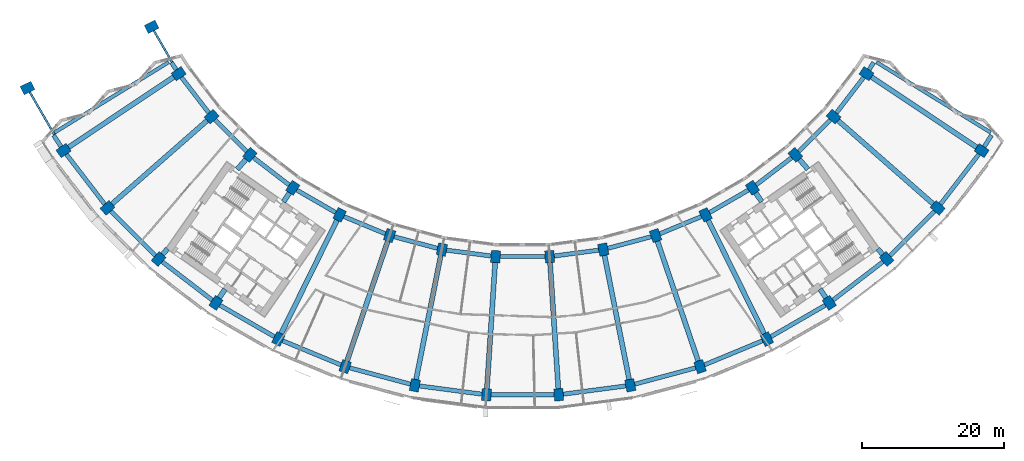
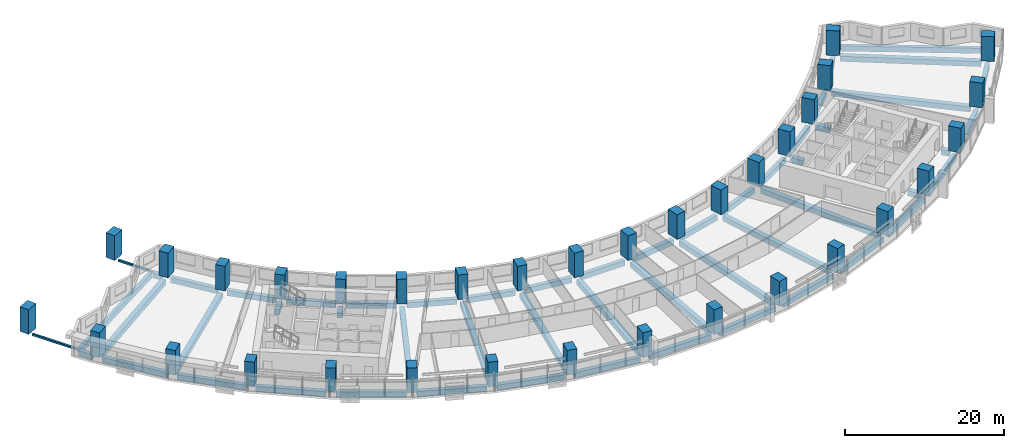
# One storey, part 1 of 30: 56 beams, 34 columns, 2 members.
"""IFC4 building model written with IfcOpenShell, lengths in metres."""

from ifc_helpers import new_model, si_unit, direction, frame, origin, origin_2d, place, context, subcontext, project, spatial, rectangle, hollow_rectangle, extrude, material, material_profile, profile_set, type_object, element, save


model = new_model("IFC4")

# Units and contexts
model_context = context("Model", 3, precision=1e-05, world=origin(), true_north=direction((0.0, 1.0)))
body_context = subcontext(model_context, "Body", "Model", "MODEL_VIEW")
ifc_project = project(units=[si_unit("LENGTHUNIT", "METRE"), si_unit("AREAUNIT", "SQUARE_METRE"), si_unit("VOLUMEUNIT", "CUBIC_METRE"), si_unit("PLANEANGLEUNIT", "RADIAN"), si_unit("MASSUNIT", "GRAM", prefix="KILO")], contexts=[model_context])

# Site, building, storey
site_placement = place(None, origin())
site = spatial("IfcSite", under=ifc_project, at=site_placement, CompositionType="ELEMENT")
building_placement = place(site_placement, origin())
building = spatial("IfcBuilding", under=site, at=building_placement, Name="Qamariyya Broadcast Tower", CompositionType="ELEMENT")
storey_placement = place(building_placement, frame((0.0, 0.0, 67.10009765625)))
storey = spatial("IfcBuildingStorey", under=building, at=storey_placement, Name="L13", CompositionType="ELEMENT", Elevation=67.10009765625)

# Columns
ifc_material_1 = material(Name="Concrete C70/85", Category="concrete")
ifc_material_profile_1 = material_profile(ifc_material_1, rectangle(XDim=1.300048828125, YDim=1.699951171875, at=origin_2d()))
ifc_profile_set_1 = profile_set([ifc_material_profile_1], Name="Concrete C70/85")
column_type = type_object("IfcColumnType", Name="RC column 1300 x 1700 C70/85", PredefinedType="COLUMN", material=ifc_profile_set_1)
for number, where, z_axis, x_axis, name in (
    (1, (-48.43310546875, -32.362060546875, 0.0), (0.0, 0.0, 1.0), (0.55557023302, -0.831469612303, 0.0), "Column C5 L13 B-R03"),
    (2, (-64.646728515625, -43.195556640625, 0.0), (0.0, 0.0, 1.0), (0.55557023302, -0.831469612303, 0.0), "Column C5 L13 C-R03"),
    (3, (-43.794677734375, -38.406982421875, 0.0), (0.0, 0.0, 1.0), (0.6593458151, -0.751839807479, 0.0), "Column C5 L13 B-R04"),
    (4, (-58.45556640625, -51.26416015625, 0.0), (0.0, 0.0, 1.0), (0.6593458151, -0.751839807479, 0.0), "Column C5 L13 C-R04"),
    (5, (-38.406982421875, -43.794677734375, 0.0), (0.0, 0.0, 1.0), (0.751839807479, -0.6593458151, 0.0), "Column C5 L13 B-R05"),
    (6, (-51.26416015625, -58.45556640625, 0.0), (0.0, 0.0, 1.0), (0.751839807479, -0.6593458151, 0.0), "Column C5 L13 C-R05"),
    (7, (-32.362060546875, -48.43310546875, 0.0), (0.0, 0.0, 1.0), (0.831469612303, -0.55557023302, 0.0), "Column C5 L13 B-R06"),
    (8, (-43.195556640625, -64.646728515625, 0.0), (0.0, 0.0, 1.0), (0.831469612303, -0.55557023302, 0.0), "Column C5 L13 C-R06"),
    (9, (-25.763427734375, -52.242919921875, 0.0), (0.0, 0.0, 1.0), (0.896872741533, -0.442288690219, 0.0), "Column C5 L13 B-R07"),
    (10, (-34.387939453125, -69.73193359375, 0.0), (0.0, 0.0, 1.0), (0.896872741533, -0.442288690219, 0.0), "Column C5 L13 C-R07"),
    (11, (-18.723876953125, -55.15869140625, 0.0), (0.0, 0.0, 1.0), (0.946930129495, -0.321439465303, 0.0), "Column C5 L13 B-R08"),
    (12, (-24.991943359375, -73.623779296875, 0.0), (0.0, 0.0, 1.0), (0.946930129495, -0.321439465303, 0.0), "Column C5 L13 C-R08"),
    (13, (-11.364013671875, -57.130859375, 0.0), (0.0, 0.0, 1.0), (0.980785280403, -0.195090322016, 0.0), "Column C5 L13 B-R09"),
    (14, (-15.168212890625, -76.256103515625, 0.0), (0.0, 0.0, 1.0), (0.980785280403, -0.195090322016, 0.0), "Column C5 L13 C-R09"),
    (15, (-3.809814453125, -58.125244140625, 0.0), (0.0, 0.0, 1.0), (0.997858923239, -0.06540312923, 0.0), "Column C5 L13 B-R10"),
    (16, (-5.085205078125, -77.58349609375, 0.0), (0.0, 0.0, 1.0), (0.997858923239, -0.06540312923, 0.0), "Column C5 L13 C-R10"),
    (17, (3.809814453125, -58.125244140625, 0.0), (0.0, 0.0, 1.0), (0.997858923239, 0.06540312923, 0.0), "Column C5 L13 B-R11"),
    (18, (5.085205078125, -77.58349609375, 0.0), (0.0, 0.0, 1.0), (0.997858923239, 0.06540312923, 0.0), "Column C5 L13 C-R11"),
    (19, (11.364013671875, -57.130859375, 0.0), (0.0, 0.0, 1.0), (0.980785280403, 0.195090322016, 0.0), "Column C5 L13 B-R12"),
    (20, (15.168212890625, -76.256103515625, 0.0), (0.0, 0.0, 1.0), (0.980785280403, 0.195090322016, 0.0), "Column C5 L13 C-R12"),
    (21, (18.723876953125, -55.15869140625, 0.0), (0.0, 0.0, 1.0), (0.946930129495, 0.321439465303, 0.0), "Column C5 L13 B-R13"),
    (22, (24.991943359375, -73.623779296875, 0.0), (0.0, 0.0, 1.0), (0.946930129495, 0.321439465303, 0.0), "Column C5 L13 C-R13"),
    (23, (25.763427734375, -52.242919921875, 0.0), (0.0, 0.0, 1.0), (0.896872741533, 0.442288690219, 0.0), "Column C5 L13 B-R14"),
    (24, (34.387939453125, -69.73193359375, 0.0), (0.0, 0.0, 1.0), (0.896872741533, 0.442288690219, 0.0), "Column C5 L13 C-R14"),
    (25, (32.362060546875, -48.43310546875, 0.0), (0.0, 0.0, 1.0), (0.831469612303, 0.55557023302, 0.0), "Column C5 L13 B-R15"),
    (26, (43.195556640625, -64.646728515625, 0.0), (0.0, 0.0, 1.0), (0.831469612303, 0.55557023302, 0.0), "Column C5 L13 C-R15"),
    (27, (38.406982421875, -43.794677734375, 0.0), (0.0, 0.0, 1.0), (0.751839807479, 0.6593458151, 0.0), "Column C5 L13 B-R16"),
    (28, (51.26416015625, -58.45556640625, 0.0), (0.0, 0.0, 1.0), (0.751839807479, 0.6593458151, 0.0), "Column C5 L13 C-R16"),
    (29, (43.794677734375, -38.406982421875, 0.0), (0.0, 0.0, 1.0), (0.6593458151, 0.751839807479, 0.0), "Column C5 L13 B-R17"),
    (30, (58.45556640625, -51.26416015625, 0.0), (0.0, 0.0, 1.0), (0.6593458151, 0.751839807479, 0.0), "Column C5 L13 C-R17"),
    (31, (48.43310546875, -32.362060546875, 0.0), (0.0, 0.0, 1.0), (0.55557023302, 0.831469612303, 0.0), "Column C5 L13 B-R18"),
    (32, (64.646728515625, -43.195556640625, 0.0), (0.0, 0.0, 1.0), (0.55557023302, 0.831469612303, 0.0), "Column C5 L13 C-R18"),
    (33, (-52.242919921875, -25.763427734375, 0.0), (0.0, 0.0, 1.0), (0.442288690219, -0.896872741533, 0.0), "Column C5 L13 B-R02"),
    (34, (-69.73193359375, -34.387939453125, 0.0), (0.0, 0.0, 1.0), (0.442288690219, -0.896872741533, 0.0), "Column C5 L13 C-R02"),
):
    element("IfcColumn", number, at=place(storey_placement, frame(where, z_axis=z_axis, x_axis=x_axis)), inside=storey, type_object=column_type, Name=name, PredefinedType="COLUMN", context=body_context, shape_type="SweptSolid", body=[
        extrude(rectangle(XDim=1.300048828125, YDim=1.699951171875, at=origin_2d()), origin(), (0.0, 0.0, 1.0), 3.7998046875),
    ])

# Members
ifc_material_2 = material(Name="Steel S355", Category="steel")
ifc_material_profile_2 = material_profile(ifc_material_2, hollow_rectangle(XDim=0.300048828125, YDim=0.300048828125, WallThickness=0.012451171875, InnerFilletRadius=0.012451171875, OuterFilletRadius=0.02490234375, at=origin_2d()))
ifc_profile_set_2 = profile_set([ifc_material_profile_2], Name="Steel S355")
member_type = type_object("IfcMemberType", Name="Pylon tie RHS 300x300x12.5", PredefinedType="STRUT", material=ifc_profile_set_2)
member_1_placement = place(storey_placement, frame((-48.7587890625, -31.7978515625, -0.4501953125), z_axis=(-0.500009058987, 0.866020173512, 0.0), x_axis=(-0.866020173512, -0.500009058987, 0.0)))
element("IfcMember", 35, at=member_1_placement, inside=storey, type_object=member_type, Name="Pylon tie T1 L13 B-R02", PredefinedType="STRUT", context=body_context, shape_type="SweptSolid", body=[
    extrude(hollow_rectangle(XDim=0.300048828125, YDim=0.300048828125, WallThickness=0.012451171875, InnerFilletRadius=0.012451171875, OuterFilletRadius=0.02490234375, at=origin_2d()), origin(), (0.0, 0.0, 1.0), 6.31689453125),
])
member_2_placement = place(storey_placement, frame((-64.972412109375, -42.63134765625, -0.4501953125), z_axis=(-0.500021158025, 0.866013187848, 0.0), x_axis=(-0.866013187848, -0.500021158025, 0.0)))
element("IfcMember", 36, at=member_2_placement, inside=storey, type_object=member_type, Name="Pylon tie T1 L13 C-R02", PredefinedType="STRUT", context=body_context, shape_type="SweptSolid", body=[
    extrude(hollow_rectangle(XDim=0.300048828125, YDim=0.300048828125, WallThickness=0.012451171875, InnerFilletRadius=0.012451171875, OuterFilletRadius=0.02490234375, at=origin_2d()), origin(), (0.0, 0.0, 1.0), 8.8671875),
])

# Beams
ifc_material_3 = material(Name="Concrete C50/60", Category="concrete")
ifc_material_profile_3 = material_profile(ifc_material_3, rectangle(XDim=0.60009765625, YDim=0.800048828125, at=origin_2d()))
ifc_profile_set_3 = profile_set([ifc_material_profile_3], Name="Concrete C50/60")
beam_type_1 = type_object("IfcBeamType", Name="RC edge beam 600 x 800 C50/60", PredefinedType="SPANDREL", material=ifc_profile_set_3)
beam_1_placement = place(storey_placement, frame((-48.03662109375, -32.878662109375, -0.7001953125), z_axis=(0.608763348773, -0.7933518672, 0.0), x_axis=(0.7933518672, 0.608763348773, 0.0)))
element("IfcBeam", 37, at=beam_1_placement, inside=storey, type_object=beam_type_1, Name="Edge beam B6 L13 B R03-R04", PredefinedType="SPANDREL", context=body_context, shape_type="SweptSolid", body=[
    extrude(rectangle(XDim=0.60009765625, YDim=0.800048828125, at=origin_2d()), origin(), (0.0, 0.0, 1.0), 6.31689453125),
])
beam_2_placement = place(storey_placement, frame((-43.333984375, -38.867431640625, -0.7001953125), z_axis=(0.707106781187, -0.707106781187, 0.0), x_axis=(0.707106781187, 0.707106781187, 0.0)))
element("IfcBeam", 38, at=beam_2_placement, inside=storey, type_object=beam_type_1, Name="Edge beam B6 L13 B R04-R05", PredefinedType="SPANDREL", context=body_context, shape_type="SweptSolid", body=[
    extrude(rectangle(XDim=0.60009765625, YDim=0.800048828125, at=origin_2d()), origin(), (0.0, 0.0, 1.0), 6.316650390625),
])
for number, where, z_axis, x_axis, name in (
    (39, (-37.89013671875, -44.191162109375, -0.7001953125), (0.7933518672, -0.608763348773, 0.0), (0.608763348773, 0.7933518672, 0.0), "Edge beam B6 L13 B R05-R06"),
    (40, (-31.7978515625, -48.7587890625, -0.7001953125), (0.866020173512, -0.500009058987, 0.0), (0.500009058987, 0.866020173512, 0.0), "Edge beam B6 L13 B R06-R07"),
):
    element("IfcBeam", number, at=place(storey_placement, frame(where, z_axis=z_axis, x_axis=x_axis)), inside=storey, type_object=beam_type_1, Name=name, PredefinedType="SPANDREL", context=body_context, shape_type="SweptSolid", body=[
        extrude(rectangle(XDim=0.60009765625, YDim=0.800048828125, at=origin_2d()), origin(), (0.0, 0.0, 1.0), 6.31689453125),
    ])
for number, where, z_axis, x_axis, name in (
    (41, (-25.16162109375, -52.4921875, -0.7001953125), (0.923884465345, -0.382671523234, 0.0), (0.382671523234, 0.923884465345, 0.0), "Edge beam B6 L13 B R07-R08"),
    (42, (-18.0947265625, -55.327392578125, -0.7001953125), (0.965931490327, -0.258797905699, 0.0), (0.258797905699, 0.965931490327, 0.0), "Edge beam B6 L13 B R08-R09"),
    (43, (-10.71826171875, -57.2158203125, -0.7001953125), (0.991445610946, -0.130520498525, 0.0), (0.130520498525, 0.991445610946, 0.0), "Edge beam B6 L13 B R09-R10"),
):
    element("IfcBeam", number, at=place(storey_placement, frame(where, z_axis=z_axis, x_axis=x_axis)), inside=storey, type_object=beam_type_1, Name=name, PredefinedType="SPANDREL", context=body_context, shape_type="SweptSolid", body=[
        extrude(rectangle(XDim=0.60009765625, YDim=0.800048828125, at=origin_2d()), origin(), (0.0, 0.0, 1.0), 6.316650390625),
    ])
beam_3_placement = place(storey_placement, frame((-3.158447265625, -58.125244140625, -0.7001953125), z_axis=(1.0, 0.0, 0.0), x_axis=(0.0, 1.0, 0.0)))
element("IfcBeam", 44, at=beam_3_placement, inside=storey, type_object=beam_type_1, Name="Edge beam B6 L13 B R10-R11", PredefinedType="SPANDREL", context=body_context, shape_type="SweptSolid", body=[
    extrude(rectangle(XDim=0.60009765625, YDim=0.800048828125, at=origin_2d()), origin(), (0.0, 0.0, 1.0), 6.31689453125),
])
for number, where, z_axis, x_axis, name in (
    (45, (4.45556640625, -58.040283203125, -0.7001953125), (0.991445610946, 0.130520498525, 0.0), (-0.130520498525, 0.991445610946, 0.0), "Edge beam B6 L13 B R11-R12"),
    (46, (11.9931640625, -56.962158203125, -0.7001953125), (0.965931490327, 0.258797905699, 0.0), (-0.258797905699, 0.965931490327, 0.0), "Edge beam B6 L13 B R12-R13"),
    (47, (19.32568359375, -54.909423828125, -0.7001953125), (0.923884465345, 0.382671523234, 0.0), (-0.382671523234, 0.923884465345, 0.0), "Edge beam B6 L13 B R13-R14"),
):
    element("IfcBeam", number, at=place(storey_placement, frame(where, z_axis=z_axis, x_axis=x_axis)), inside=storey, type_object=beam_type_1, Name=name, PredefinedType="SPANDREL", context=body_context, shape_type="SweptSolid", body=[
        extrude(rectangle(XDim=0.60009765625, YDim=0.800048828125, at=origin_2d()), origin(), (0.0, 0.0, 1.0), 6.316650390625),
    ])
for number, where, z_axis, x_axis, name in (
    (48, (26.327392578125, -51.917236328125, -0.7001953125), (0.866020173512, 0.500009058987, 0.0), (-0.500009058987, 0.866020173512, 0.0), "Edge beam B6 L13 B R14-R15"),
    (49, (32.878662109375, -48.03662109375, -0.7001953125), (0.7933518672, 0.608763348773, 0.0), (-0.608763348773, 0.7933518672, 0.0), "Edge beam B6 L13 B R15-R16"),
):
    element("IfcBeam", number, at=place(storey_placement, frame(where, z_axis=z_axis, x_axis=x_axis)), inside=storey, type_object=beam_type_1, Name=name, PredefinedType="SPANDREL", context=body_context, shape_type="SweptSolid", body=[
        extrude(rectangle(XDim=0.60009765625, YDim=0.800048828125, at=origin_2d()), origin(), (0.0, 0.0, 1.0), 6.31689453125),
    ])
beam_4_placement = place(storey_placement, frame((38.867431640625, -43.333984375, -0.7001953125), z_axis=(0.707106781187, 0.707106781187, 0.0), x_axis=(-0.707106781187, 0.707106781187, 0.0)))
element("IfcBeam", 50, at=beam_4_placement, inside=storey, type_object=beam_type_1, Name="Edge beam B6 L13 B R16-R17", PredefinedType="SPANDREL", context=body_context, shape_type="SweptSolid", body=[
    extrude(rectangle(XDim=0.60009765625, YDim=0.800048828125, at=origin_2d()), origin(), (0.0, 0.0, 1.0), 6.316650390625),
])
beam_5_placement = place(storey_placement, frame((44.191162109375, -37.89013671875, -0.7001953125), z_axis=(0.608763348773, 0.7933518672, 0.0), x_axis=(-0.7933518672, 0.608763348773, 0.0)))
element("IfcBeam", 51, at=beam_5_placement, inside=storey, type_object=beam_type_1, Name="Edge beam B6 L13 B R17-R18", PredefinedType="SPANDREL", context=body_context, shape_type="SweptSolid", body=[
    extrude(rectangle(XDim=0.60009765625, YDim=0.800048828125, at=origin_2d()), origin(), (0.0, 0.0, 1.0), 6.31689453125),
])
beam_6_placement = place(storey_placement, frame((-64.250244140625, -43.71240234375, -0.7001953125), z_axis=(0.608769622928, -0.793347052809, 0.0), x_axis=(0.793347052809, 0.608769622928, 0.0)))
element("IfcBeam", 52, at=beam_6_placement, inside=storey, type_object=beam_type_1, Name="Edge beam B6 L13 C R03-R04", PredefinedType="SPANDREL", context=body_context, shape_type="SweptSolid", body=[
    extrude(rectangle(XDim=0.60009765625, YDim=0.800048828125, at=origin_2d()), origin(), (0.0, 0.0, 1.0), 8.867431640625),
])
beam_7_placement = place(storey_placement, frame((-57.994873046875, -51.724853515625, -0.7001953125), z_axis=(0.707106781187, -0.707106781187, 0.0), x_axis=(0.707106781187, 0.707106781187, 0.0)))
element("IfcBeam", 53, at=beam_7_placement, inside=storey, type_object=beam_type_1, Name="Edge beam B6 L13 C R04-R05", PredefinedType="SPANDREL", context=body_context, shape_type="SweptSolid", body=[
    extrude(rectangle(XDim=0.60009765625, YDim=0.800048828125, at=origin_2d()), origin(), (0.0, 0.0, 1.0), 8.8671875),
])
beam_8_placement = place(storey_placement, frame((-50.747314453125, -58.85205078125, -0.7001953125), z_axis=(0.793347052809, -0.608769622928, 0.0), x_axis=(0.608769622928, 0.793347052809, 0.0)))
element("IfcBeam", 54, at=beam_8_placement, inside=storey, type_object=beam_type_1, Name="Edge beam B6 L13 C R05-R06", PredefinedType="SPANDREL", context=body_context, shape_type="SweptSolid", body=[
    extrude(rectangle(XDim=0.60009765625, YDim=0.800048828125, at=origin_2d()), origin(), (0.0, 0.0, 1.0), 8.867431640625),
])
beam_9_placement = place(storey_placement, frame((-42.63134765625, -64.972412109375, -0.7001953125), z_axis=(0.866013187848, -0.500021158025, 0.0), x_axis=(0.500021158025, 0.866013187848, 0.0)))
element("IfcBeam", 55, at=beam_9_placement, inside=storey, type_object=beam_type_1, Name="Edge beam B6 L13 C R06-R07", PredefinedType="SPANDREL", context=body_context, shape_type="SweptSolid", body=[
    extrude(rectangle(XDim=0.60009765625, YDim=0.800048828125, at=origin_2d()), origin(), (0.0, 0.0, 1.0), 8.8671875),
])
for number, where, z_axis, x_axis, name in (
    (56, (-33.7861328125, -69.981201171875, -0.7001953125), (0.923882942367, -0.382675200142, 0.0), (0.382675200142, 0.923882942367, 0.0), "Edge beam B6 L13 C R07-R08"),
    (57, (-24.36279296875, -73.79248046875, -0.7001953125), (0.965930847021, -0.258800306749, 0.0), (0.258800306749, 0.965930847021, 0.0), "Edge beam B6 L13 C R08-R09"),
    (58, (-14.5224609375, -76.341064453125, -0.7001953125), (0.991444171706, -0.13053143066, 0.0), (0.13053143066, 0.991444171706, 0.0), "Edge beam B6 L13 C R09-R10"),
):
    element("IfcBeam", number, at=place(storey_placement, frame(where, z_axis=z_axis, x_axis=x_axis)), inside=storey, type_object=beam_type_1, Name=name, PredefinedType="SPANDREL", context=body_context, shape_type="SweptSolid", body=[
        extrude(rectangle(XDim=0.60009765625, YDim=0.800048828125, at=origin_2d()), origin(), (0.0, 0.0, 1.0), 8.867431640625),
    ])
beam_10_placement = place(storey_placement, frame((-4.43359375, -77.58349609375, -0.7001953125), z_axis=(1.0, 0.0, 0.0), x_axis=(0.0, 1.0, 0.0)))
element("IfcBeam", 59, at=beam_10_placement, inside=storey, type_object=beam_type_1, Name="Edge beam B6 L13 C R10-R11", PredefinedType="SPANDREL", context=body_context, shape_type="SweptSolid", body=[
    extrude(rectangle(XDim=0.60009765625, YDim=0.800048828125, at=origin_2d()), origin(), (0.0, 0.0, 1.0), 8.8671875),
])
for number, where, z_axis, x_axis, name in (
    (60, (5.73095703125, -77.49853515625, -0.7001953125), (0.991444171706, 0.13053143066, 0.0), (-0.13053143066, 0.991444171706, 0.0), "Edge beam B6 L13 C R11-R12"),
    (61, (15.79736328125, -76.08740234375, -0.7001953125), (0.965930847021, 0.258800306749, 0.0), (-0.258800306749, 0.965930847021, 0.0), "Edge beam B6 L13 C R12-R13"),
    (62, (25.59375, -73.37451171875, -0.7001953125), (0.923882942367, 0.382675200142, 0.0), (-0.382675200142, 0.923882942367, 0.0), "Edge beam B6 L13 C R13-R14"),
):
    element("IfcBeam", number, at=place(storey_placement, frame(where, z_axis=z_axis, x_axis=x_axis)), inside=storey, type_object=beam_type_1, Name=name, PredefinedType="SPANDREL", context=body_context, shape_type="SweptSolid", body=[
        extrude(rectangle(XDim=0.60009765625, YDim=0.800048828125, at=origin_2d()), origin(), (0.0, 0.0, 1.0), 8.867431640625),
    ])
beam_11_placement = place(storey_placement, frame((34.9521484375, -69.40625, -0.7001953125), z_axis=(0.866013187848, 0.500021158025, 0.0), x_axis=(-0.500021158025, 0.866013187848, 0.0)))
element("IfcBeam", 63, at=beam_11_placement, inside=storey, type_object=beam_type_1, Name="Edge beam B6 L13 C R14-R15", PredefinedType="SPANDREL", context=body_context, shape_type="SweptSolid", body=[
    extrude(rectangle(XDim=0.60009765625, YDim=0.800048828125, at=origin_2d()), origin(), (0.0, 0.0, 1.0), 8.8671875),
])
beam_12_placement = place(storey_placement, frame((43.71240234375, -64.250244140625, -0.7001953125), z_axis=(0.793347052809, 0.608769622928, 0.0), x_axis=(-0.608769622928, 0.793347052809, 0.0)))
element("IfcBeam", 64, at=beam_12_placement, inside=storey, type_object=beam_type_1, Name="Edge beam B6 L13 C R15-R16", PredefinedType="SPANDREL", context=body_context, shape_type="SweptSolid", body=[
    extrude(rectangle(XDim=0.60009765625, YDim=0.800048828125, at=origin_2d()), origin(), (0.0, 0.0, 1.0), 8.867431640625),
])
beam_13_placement = place(storey_placement, frame((51.724853515625, -57.994873046875, -0.7001953125), z_axis=(0.707106781187, 0.707106781187, 0.0), x_axis=(-0.707106781187, 0.707106781187, 0.0)))
element("IfcBeam", 65, at=beam_13_placement, inside=storey, type_object=beam_type_1, Name="Edge beam B6 L13 C R16-R17", PredefinedType="SPANDREL", context=body_context, shape_type="SweptSolid", body=[
    extrude(rectangle(XDim=0.60009765625, YDim=0.800048828125, at=origin_2d()), origin(), (0.0, 0.0, 1.0), 8.8671875),
])
beam_14_placement = place(storey_placement, frame((58.85205078125, -50.747314453125, -0.7001953125), z_axis=(0.608769622928, 0.793347052809, 0.0), x_axis=(-0.793347052809, 0.608769622928, 0.0)))
element("IfcBeam", 66, at=beam_14_placement, inside=storey, type_object=beam_type_1, Name="Edge beam B6 L13 C R17-R18", PredefinedType="SPANDREL", context=body_context, shape_type="SweptSolid", body=[
    extrude(rectangle(XDim=0.60009765625, YDim=0.800048828125, at=origin_2d()), origin(), (0.0, 0.0, 1.0), 8.867431640625),
])
ifc_material_profile_4 = material_profile(ifc_material_3, rectangle(XDim=0.60009765625, YDim=0.800048828125, at=origin_2d()))
ifc_profile_set_4 = profile_set([ifc_material_profile_4], Name="Concrete C50/60")
beam_type_2 = type_object("IfcBeamType", Name="RC horn beam 600 x 800 C50/60", PredefinedType="BEAM", material=ifc_profile_set_4)
beam_15_placement = place(storey_placement, frame((-48.784423828125, -31.81494140625, -0.7001953125), z_axis=(-0.540291930288, 0.841477646801, 0.0), x_axis=(-0.841477646801, -0.540291930288, 0.0)))
element("IfcBeam", 67, at=beam_15_placement, inside=storey, type_object=beam_type_2, Name="Horn beam B7 L13 W B-R03", PredefinedType="BEAM", context=body_context, shape_type="SweptSolid", body=[
    extrude(rectangle(XDim=0.60009765625, YDim=0.800048828125, at=origin_2d()), origin(), (0.0, 0.0, 1.0), 1.21923828125),
])
beam_16_placement = place(storey_placement, frame((-64.998046875, -42.648681640625, -0.7001953125), z_axis=(-0.540335312338, 0.841449790683, 0.0), x_axis=(-0.841449790683, -0.540335312338, 0.0)))
element("IfcBeam", 68, at=beam_16_placement, inside=storey, type_object=beam_type_2, Name="Horn beam B7 L13 W C-R03", PredefinedType="BEAM", context=body_context, shape_type="SweptSolid", body=[
    extrude(rectangle(XDim=0.60009765625, YDim=0.800048828125, at=origin_2d()), origin(), (0.0, 0.0, 1.0), 1.928955078125),
])
beam_17_placement = place(storey_placement, frame((48.784423828125, -31.81494140625, -0.7001953125), z_axis=(0.540291930288, 0.841477646801, 0.0), x_axis=(-0.841477646801, 0.540291930288, 0.0)))
element("IfcBeam", 69, at=beam_17_placement, inside=storey, type_object=beam_type_2, Name="Horn beam B7 L13 E B-R18", PredefinedType="BEAM", context=body_context, shape_type="SweptSolid", body=[
    extrude(rectangle(XDim=0.60009765625, YDim=0.800048828125, at=origin_2d()), origin(), (0.0, 0.0, 1.0), 1.21923828125),
])
beam_18_placement = place(storey_placement, frame((64.998046875, -42.648681640625, -0.7001953125), z_axis=(0.540335312338, 0.841449790683, 0.0), x_axis=(-0.841449790683, 0.540335312338, 0.0)))
element("IfcBeam", 70, at=beam_18_placement, inside=storey, type_object=beam_type_2, Name="Horn beam B7 L13 E C-R18", PredefinedType="BEAM", context=body_context, shape_type="SweptSolid", body=[
    extrude(rectangle(XDim=0.60009765625, YDim=0.800048828125, at=origin_2d()), origin(), (0.0, 0.0, 1.0), 1.928955078125),
])
ifc_material_profile_5 = material_profile(ifc_material_3, rectangle(XDim=0.5, YDim=0.800048828125, at=origin_2d()))
ifc_profile_set_5 = profile_set([ifc_material_profile_5], Name="Concrete C50/60")
beam_type_3 = type_object("IfcBeamType", Name="RC horn cap beam 500 x 800 C50/60", PredefinedType="BEAM", material=ifc_profile_set_5)
for number, where, z_axis, x_axis, name in (
    (71, (-49.833740234375, -30.736083984375, -0.7001953125), (-0.851122099769, -0.524967781187, 0.0), (0.524967781187, -0.851122099769, 0.0), "Horn cap beam B8 L13 W B-C"),
    (72, (49.833740234375, -30.736083984375, -0.7001953125), (0.851122099769, -0.524967781187, 0.0), (0.524967781187, 0.851122099769, 0.0), "Horn cap beam B8 L13 E B-C"),
):
    element("IfcBeam", number, at=place(storey_placement, frame(where, z_axis=z_axis, x_axis=x_axis)), inside=storey, type_object=beam_type_3, Name=name, PredefinedType="BEAM", context=body_context, shape_type="SweptSolid", body=[
        extrude(rectangle(XDim=0.5, YDim=0.800048828125, at=origin_2d()), origin(), (0.0, 0.0, 1.0), 18.89990234375),
    ])
ifc_material_profile_6 = material_profile(ifc_material_3, rectangle(XDim=0.699951171875, YDim=0.800048828125, at=origin_2d()))
ifc_profile_set_6 = profile_set([ifc_material_profile_6], Name="Concrete C50/60")
beam_type_4 = type_object("IfcBeamType", Name="RC radial beam 700 x 800 C50/60", PredefinedType="BEAM", material=ifc_profile_set_6)
for number, where, z_axis, x_axis, name in (
    (73, (-49.139892578125, -32.834228515625, -0.7001953125), (-0.831467440413, -0.555573483469, 0.0), (0.555573483469, -0.831467440413, 0.0), "Radial beam B5 L13 R03 B-C"),
    (74, (-44.433837890625, -38.96728515625, -0.7001953125), (-0.751836168626, -0.659349964393, 0.0), (0.659349964393, -0.751836168626, 0.0), "Radial beam B5 L13 R04 B-C"),
):
    element("IfcBeam", number, at=place(storey_placement, frame(where, z_axis=z_axis, x_axis=x_axis)), inside=storey, type_object=beam_type_4, Name=name, PredefinedType="BEAM", context=body_context, shape_type="SweptSolid", body=[
        extrude(rectangle(XDim=0.699951171875, YDim=0.800048828125, at=origin_2d()), origin(), (0.0, 0.0, 1.0), 17.7998046875),
    ])
beam_19_placement = place(storey_placement, frame((-38.96728515625, -44.433837890625, -0.7001953125), z_axis=(-0.659385827408, -0.751804715743, 0.0), x_axis=(0.751804715743, -0.659385827408, 0.0)))
element("IfcBeam", 75, at=beam_19_placement, inside=storey, type_object=beam_type_4, Name="Radial beam B5 L13 R05 B-C", PredefinedType="BEAM", context=body_context, shape_type="SweptSolid", body=[
    extrude(rectangle(XDim=0.699951171875, YDim=0.800048828125, at=origin_2d()), origin(), (0.0, 0.0, 1.0), 1.8623046875),
])
beam_20_placement = place(storey_placement, frame((-50.011962890625, -57.027587890625, -0.7001953125), z_axis=(-0.659278599496, -0.751898748667, 0.0), x_axis=(0.751898748667, -0.659278599496, 0.0)))
element("IfcBeam", 76, at=beam_20_placement, inside=storey, type_object=beam_type_4, Name="Radial beam B5 L13 R05 B-C", PredefinedType="BEAM", context=body_context, shape_type="SweptSolid", body=[
    extrude(rectangle(XDim=0.699951171875, YDim=0.800048828125, at=origin_2d()), origin(), (0.0, 0.0, 1.0), 1.049072265625),
])
beam_21_placement = place(storey_placement, frame((-32.834228515625, -49.139892578125, -0.7001953125), z_axis=(-0.555518362002, -0.831504269068, 0.0), x_axis=(0.831504269068, -0.555518362002, 0.0)))
element("IfcBeam", 77, at=beam_21_placement, inside=storey, type_object=beam_type_4, Name="Radial beam B5 L13 R06 B-C", PredefinedType="BEAM", context=body_context, shape_type="SweptSolid", body=[
    extrude(rectangle(XDim=0.699951171875, YDim=0.800048828125, at=origin_2d()), origin(), (0.0, 0.0, 1.0), 1.514404296875),
])
beam_22_placement = place(storey_placement, frame((-41.89990234375, -62.707763671875, -0.7001953125), z_axis=(-0.555650227013, -0.831416156459, 0.0), x_axis=(0.831416156459, -0.555650227013, 0.0)))
element("IfcBeam", 78, at=beam_22_placement, inside=storey, type_object=beam_type_4, Name="Radial beam B5 L13 R06 B-C", PredefinedType="BEAM", context=body_context, shape_type="SweptSolid", body=[
    extrude(rectangle(XDim=0.699951171875, YDim=0.800048828125, at=origin_2d()), origin(), (0.0, 0.0, 1.0), 1.48193359375),
])
beam_23_placement = place(storey_placement, frame((-26.13916015625, -53.005126953125, -0.7001953125), z_axis=(-0.442291123934, -0.896871541353, 0.0), x_axis=(0.896871541353, -0.442291123934, 0.0)))
element("IfcBeam", 79, at=beam_23_placement, inside=storey, type_object=beam_type_4, Name="Radial beam B5 L13 R07 B-C", PredefinedType="BEAM", context=body_context, shape_type="SweptSolid", body=[
    extrude(rectangle(XDim=0.699951171875, YDim=0.800048828125, at=origin_2d()), origin(), (0.0, 0.0, 1.0), 17.800048828125),
])
beam_24_placement = place(storey_placement, frame((-18.9970703125, -55.963623046875, -0.7001953125), z_axis=(-0.321444599042, -0.94692838681, 0.0), x_axis=(0.94692838681, -0.321444599042, 0.0)))
element("IfcBeam", 80, at=beam_24_placement, inside=storey, type_object=beam_type_4, Name="Radial beam B5 L13 R08 B-C", PredefinedType="BEAM", context=body_context, shape_type="SweptSolid", body=[
    extrude(rectangle(XDim=0.699951171875, YDim=0.800048828125, at=origin_2d()), origin(), (0.0, 0.0, 1.0), 17.7998046875),
])
for number, where, z_axis, x_axis, name in (
    (81, (-11.52978515625, -57.96435546875, -0.7001953125), (-0.19509262344, -0.980784822619, 0.0), (0.980784822619, -0.19509262344, 0.0), "Radial beam B5 L13 R09 B-C"),
    (82, (-3.865234375, -58.973388671875, -0.7001953125), (-0.0654101824, -0.997858460924, 0.0), (0.997858460924, -0.0654101824, 0.0), "Radial beam B5 L13 R10 B-C"),
    (83, (3.865234375, -58.973388671875, -0.7001953125), (0.0654101824, -0.997858460924, 0.0), (0.997858460924, 0.0654101824, 0.0), "Radial beam B5 L13 R11 B-C"),
    (84, (11.52978515625, -57.96435546875, -0.7001953125), (0.19509262344, -0.980784822619, 0.0), (0.980784822619, 0.19509262344, 0.0), "Radial beam B5 L13 R12 B-C"),
):
    element("IfcBeam", number, at=place(storey_placement, frame(where, z_axis=z_axis, x_axis=x_axis)), inside=storey, type_object=beam_type_4, Name=name, PredefinedType="BEAM", context=body_context, shape_type="SweptSolid", body=[
        extrude(rectangle(XDim=0.699951171875, YDim=0.800048828125, at=origin_2d()), origin(), (0.0, 0.0, 1.0), 17.800048828125),
    ])
beam_25_placement = place(storey_placement, frame((18.9970703125, -55.963623046875, -0.7001953125), z_axis=(0.321444599042, -0.94692838681, 0.0), x_axis=(0.94692838681, 0.321444599042, 0.0)))
element("IfcBeam", 85, at=beam_25_placement, inside=storey, type_object=beam_type_4, Name="Radial beam B5 L13 R13 B-C", PredefinedType="BEAM", context=body_context, shape_type="SweptSolid", body=[
    extrude(rectangle(XDim=0.699951171875, YDim=0.800048828125, at=origin_2d()), origin(), (0.0, 0.0, 1.0), 17.7998046875),
])
beam_26_placement = place(storey_placement, frame((26.13916015625, -53.005126953125, -0.7001953125), z_axis=(0.442291123934, -0.896871541353, 0.0), x_axis=(0.896871541353, 0.442291123934, 0.0)))
element("IfcBeam", 86, at=beam_26_placement, inside=storey, type_object=beam_type_4, Name="Radial beam B5 L13 R14 B-C", PredefinedType="BEAM", context=body_context, shape_type="SweptSolid", body=[
    extrude(rectangle(XDim=0.699951171875, YDim=0.800048828125, at=origin_2d()), origin(), (0.0, 0.0, 1.0), 17.800048828125),
])
beam_27_placement = place(storey_placement, frame((32.834228515625, -49.139892578125, -0.7001953125), z_axis=(0.555518362002, -0.831504269068, 0.0), x_axis=(0.831504269068, 0.555518362002, 0.0)))
element("IfcBeam", 87, at=beam_27_placement, inside=storey, type_object=beam_type_4, Name="Radial beam B5 L13 R15 B-C", PredefinedType="BEAM", context=body_context, shape_type="SweptSolid", body=[
    extrude(rectangle(XDim=0.699951171875, YDim=0.800048828125, at=origin_2d()), origin(), (0.0, 0.0, 1.0), 1.514404296875),
])
beam_28_placement = place(storey_placement, frame((41.89990234375, -62.707763671875, -0.7001953125), z_axis=(0.555650227013, -0.831416156459, 0.0), x_axis=(0.831416156459, 0.555650227013, 0.0)))
element("IfcBeam", 88, at=beam_28_placement, inside=storey, type_object=beam_type_4, Name="Radial beam B5 L13 R15 B-C", PredefinedType="BEAM", context=body_context, shape_type="SweptSolid", body=[
    extrude(rectangle(XDim=0.699951171875, YDim=0.800048828125, at=origin_2d()), origin(), (0.0, 0.0, 1.0), 1.48193359375),
])
beam_29_placement = place(storey_placement, frame((38.96728515625, -44.433837890625, -0.7001953125), z_axis=(0.659385827408, -0.751804715743, 0.0), x_axis=(0.751804715743, 0.659385827408, 0.0)))
element("IfcBeam", 89, at=beam_29_placement, inside=storey, type_object=beam_type_4, Name="Radial beam B5 L13 R16 B-C", PredefinedType="BEAM", context=body_context, shape_type="SweptSolid", body=[
    extrude(rectangle(XDim=0.699951171875, YDim=0.800048828125, at=origin_2d()), origin(), (0.0, 0.0, 1.0), 1.8623046875),
])
beam_30_placement = place(storey_placement, frame((50.011962890625, -57.027587890625, -0.7001953125), z_axis=(0.659278599496, -0.751898748667, 0.0), x_axis=(0.751898748667, 0.659278599496, 0.0)))
element("IfcBeam", 90, at=beam_30_placement, inside=storey, type_object=beam_type_4, Name="Radial beam B5 L13 R16 B-C", PredefinedType="BEAM", context=body_context, shape_type="SweptSolid", body=[
    extrude(rectangle(XDim=0.699951171875, YDim=0.800048828125, at=origin_2d()), origin(), (0.0, 0.0, 1.0), 1.049072265625),
])
for number, where, z_axis, x_axis, name in (
    (91, (44.433837890625, -38.96728515625, -0.7001953125), (0.751836168626, -0.659349964393, 0.0), (0.659349964393, 0.751836168626, 0.0), "Radial beam B5 L13 R17 B-C"),
    (92, (49.139892578125, -32.834228515625, -0.7001953125), (0.831467440413, -0.555573483469, 0.0), (0.555573483469, 0.831467440413, 0.0), "Radial beam B5 L13 R18 B-C"),
):
    element("IfcBeam", number, at=place(storey_placement, frame(where, z_axis=z_axis, x_axis=x_axis)), inside=storey, type_object=beam_type_4, Name=name, PredefinedType="BEAM", context=body_context, shape_type="SweptSolid", body=[
        extrude(rectangle(XDim=0.699951171875, YDim=0.800048828125, at=origin_2d()), origin(), (0.0, 0.0, 1.0), 17.7998046875),
    ])

save(model, "model.ifc")
